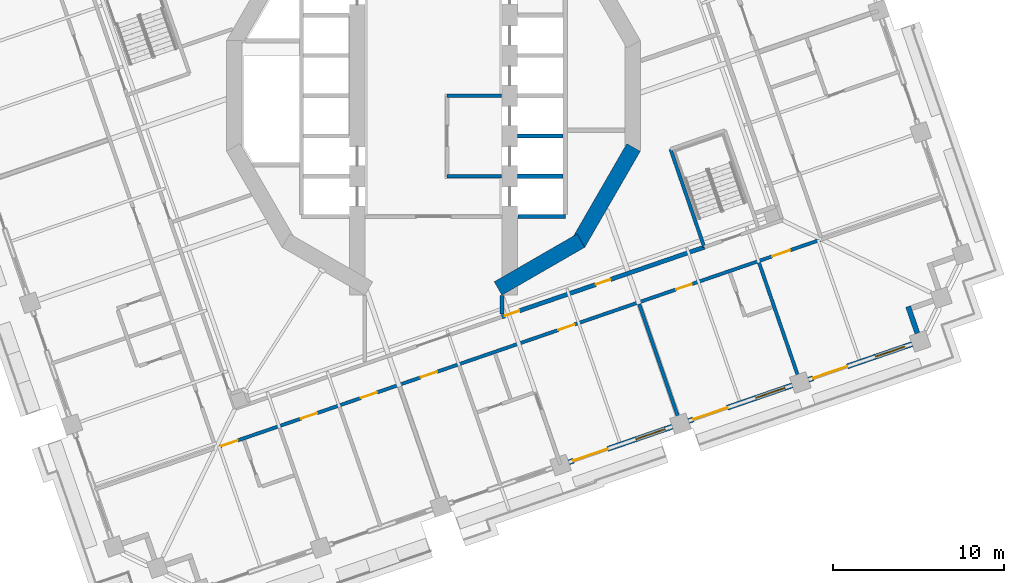
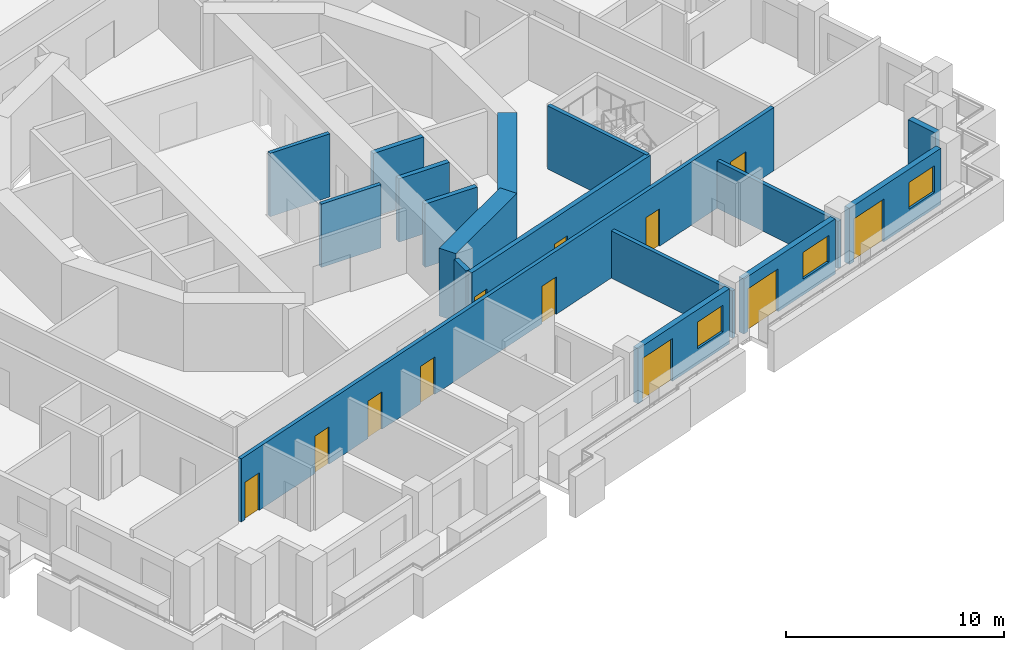
# One storey, part 6 of 19: 17 walls, 12 doors, 3 windows, 15 openings.
"""IFC4 building model written with IfcOpenShell, lengths in metres."""

import ifcopenshell
import ifcopenshell.guid

model = None  # the IFC model being written
_history = None  # IfcOwnerHistory: only IFC2X3 demands one
_inside = {}  # id of a spatial element -> (the spatial element, [elements in it])
_under = {}  # id of a project, library or spatial element -> (it, [spatial elements below it])
_declared = {}  # id of a project -> (the project, [libraries it declares])
_typed = {}  # id of a type object -> (the type object, [elements of that type])
_made_of = {}  # id of a material, layer set ... -> (it, [elements and type objects made of it])


def new_model(schema):
    """Start an empty IFC model of exactly this schema.

    Asked for "IFC4X3", IfcOpenShell would pick the latest addendum, in which some entities
    have other attributes; the version numbers below select the first issue.
    IFC2X3 requires an IfcOwnerHistory on every rooted entity: one is made here for all.
    """
    global model, _history
    if schema == "IFC4X3":
        model = ifcopenshell.file(schema_version=(4, 3, 0, 0))
    else:
        model = ifcopenshell.file(schema=schema)
    _inside.clear()
    _under.clear()
    _declared.clear()
    _typed.clear()
    _made_of.clear()
    _history = None
    if model.schema == "IFC2X3":
        org = make("IfcOrganization", Name="unknown")
        user = make(
            "IfcPersonAndOrganization",
            ThePerson=make("IfcPerson", FamilyName="unknown"),
            TheOrganization=org,
        )
        app = make(
            "IfcApplication",
            ApplicationDeveloper=org,
            Version="unknown",
            ApplicationFullName="unknown",
            ApplicationIdentifier="unknown",
        )
        _history = make(
            "IfcOwnerHistory",
            OwningUser=user,
            OwningApplication=app,
            ChangeAction="ADDED",
            CreationDate=0,
        )
    return model


def make(cls, **values):
    """One entity of the class cls with the attributes given. An attribute that is None is left unset."""
    return model.create_entity(
        cls, **{name: value for name, value in values.items() if value is not None}
    )


def rooted(cls, **values):
    """An entity with a GlobalId (a new one), such as an element, a storey or a relation."""
    return make(cls, GlobalId=ifcopenshell.guid.new(), OwnerHistory=_history, **values)


def si_unit(unit_type, name, prefix=None):
    """IfcSIUnit, for example si_unit("LENGTHUNIT", "METRE", prefix="MILLI")."""
    return make("IfcSIUnit", UnitType=unit_type, Prefix=prefix, Name=name)


def assignment(units):
    """IfcUnitAssignment: the units of a project."""
    return None if units is None else make("IfcUnitAssignment", Units=units)


def point(xyz):
    """IfcCartesianPoint."""
    return None if xyz is None else make("IfcCartesianPoint", Coordinates=xyz)


def direction(xyz):
    """IfcDirection."""
    return None if xyz is None else make("IfcDirection", DirectionRatios=xyz)


def frame(location, z_axis=None, x_axis=None):
    """IfcAxis2Placement3D, a coordinate frame: its origin and axes. An axis left out is left unset."""
    return make(
        "IfcAxis2Placement3D",
        Location=point(location),
        Axis=direction(z_axis),
        RefDirection=direction(x_axis),
    )


def frame_2d(location, x_axis=None):
    """IfcAxis2Placement2D, a coordinate frame in the plane: its origin and x axis."""
    return make(
        "IfcAxis2Placement2D", Location=point(location), RefDirection=direction(x_axis)
    )


def origin():
    """The frame at (0, 0, 0) with its axes left unset."""
    return frame((0.0, 0.0, 0.0))


def place(relative_to, where):
    """IfcLocalPlacement: puts the frame where relative to a parent placement (None: the world)."""
    return make(
        "IfcLocalPlacement", PlacementRelTo=relative_to, RelativePlacement=where
    )


def context(
    kind, dimensions, precision=None, world=None, true_north=None, identifier=None
):
    """IfcGeometricRepresentationContext, for example the 3D "Model" context."""
    return make(
        "IfcGeometricRepresentationContext",
        ContextIdentifier=identifier,
        ContextType=kind,
        CoordinateSpaceDimension=dimensions,
        Precision=precision,
        WorldCoordinateSystem=world,
        TrueNorth=true_north,
    )


def subcontext(parent, identifier, kind, view, scale=None):
    """IfcGeometricRepresentationSubContext, for example "Body" below "Model"."""
    return make(
        "IfcGeometricRepresentationSubContext",
        ContextIdentifier=identifier,
        ContextType=kind,
        ParentContext=parent,
        TargetScale=scale,
        TargetView=view,
    )


def project(units=None, contexts=None):
    """IfcProject with its units and contexts."""
    return rooted(
        "IfcProject",
        Name="project",
        RepresentationContexts=contexts,
        UnitsInContext=assignment(units),
    )


def spatial(cls, under=None, at=None, **own):
    """A site, building, storey or space (cls), placed at a placement, below another one or the project."""
    s = rooted(cls, ObjectPlacement=at, **own)
    if under is not None:
        _under.setdefault(under.id(), (under, []))[1].append(s)
    return s


def profile(cls, at=None, kind="AREA", **sizes):
    """A parametric profile (cls). Its sizes go by their IFC names, for example OverallWidth=200.0."""
    return make(cls, ProfileType=kind, Position=at, **sizes)


def rectangle(**sizes):
    """IfcRectangleProfileDef."""
    return profile("IfcRectangleProfileDef", **sizes)


def extrude(swept, where, along, depth):
    """IfcExtrudedAreaSolid: the profile swept, set in the frame where, extruded along a direction by depth."""
    return make(
        "IfcExtrudedAreaSolid",
        SweptArea=swept,
        Position=where,
        ExtrudedDirection=direction(along),
        Depth=depth,
    )


def shape(context_of_items, identifier, shape_type, items):
    """IfcShapeRepresentation: the items that make up one representation, for example the "Body"."""
    return make(
        "IfcShapeRepresentation",
        ContextOfItems=context_of_items,
        RepresentationIdentifier=identifier,
        RepresentationType=shape_type,
        Items=items,
    )


def material(Name=None, Category=None):
    """IfcMaterial."""
    return make("IfcMaterial", Name=Name, Category=Category)


def layer(
    of_material, thickness, ventilated=None, Name=None, Category=None, Priority=None
):
    """IfcMaterialLayer: one layer of a wall or slab, of a material (None: an air gap)."""
    return make(
        "IfcMaterialLayer",
        Material=of_material,
        LayerThickness=thickness,
        IsVentilated=ventilated,
        Name=Name,
        Category=Category,
        Priority=Priority,
    )


def layer_set(layers, Name=None):
    """IfcMaterialLayerSet."""
    return make("IfcMaterialLayerSet", MaterialLayers=layers, LayerSetName=Name)


def made_of(thing, what):
    """Note that an element or type object is made of a material, layer set ...; save() writes the relation."""
    if what is not None:
        _made_of.setdefault(what.id(), (what, []))[1].append(thing)
    return thing


def type_object(cls, material=None, **own):
    """A type object (cls), such as IfcWallType, which elements share."""
    return made_of(rooted(cls, **own), material)


def element(
    cls,
    number,
    at=None,
    inside=None,
    cuts=None,
    type_object=None,
    material=None,
    context=None,
    identifier="Body",
    shape_type=None,
    held_by="IfcProductDefinitionShape",
    body=None,
    shapes=None,
    **own,
):
    """One element of the class cls, such as IfcWall. Its Tag is "e" and its number.

    at: its placement. inside: the storey or other place that contains it. cuts: it is an
    opening in that element (IfcRelVoidsElement). A single representation is given by context,
    identifier, shape_type and body (its items); several are given by shapes. held_by: the class
    of the entity that holds the representations. save() writes the other relations.
    """
    e = rooted(cls, Tag="e%d" % number, ObjectPlacement=at, **own)
    if body is not None:
        shapes = [shape(context, identifier, shape_type, body)]
    if shapes is not None:
        e.Representation = make(held_by, Representations=shapes)
    if inside is not None:
        _inside.setdefault(inside.id(), (inside, []))[1].append(e)
    if cuts is not None:
        rooted(
            "IfcRelVoidsElement", RelatingBuildingElement=cuts, RelatedOpeningElement=e
        )
    if type_object is not None:
        _typed.setdefault(type_object.id(), (type_object, []))[1].append(e)
    return made_of(e, material)


def fill(opening, filler):
    """IfcRelFillsElement: the door or window that sits in an opening."""
    return rooted(
        "IfcRelFillsElement",
        RelatingOpeningElement=opening,
        RelatedBuildingElement=filler,
    )


def aggregate(whole, parts):
    """IfcRelAggregates: a whole, such as a stair, and the parts it consists of."""
    return rooted("IfcRelAggregates", RelatingObject=whole, RelatedObjects=parts)


def save(model, path):
    """Write the relations noted so far, then the file.

    IfcRelAggregates (storeys below a building ...), IfcRelContainedInSpatialStructure (elements
    in a storey), IfcRelDefinesByType, IfcRelAssociatesMaterial and IfcRelDeclares: one each for
    every whole, place, type object, material and project.
    """
    for whole, parts in _under.values():
        aggregate(whole, parts)
    for where, things in _inside.values():
        rooted(
            "IfcRelContainedInSpatialStructure",
            RelatedElements=things,
            RelatingStructure=where,
        )
    for kind, things in _typed.values():
        rooted("IfcRelDefinesByType", RelatedObjects=things, RelatingType=kind)
    for what, things in _made_of.values():
        rooted("IfcRelAssociatesMaterial", RelatedObjects=things, RelatingMaterial=what)
    for by, libraries in _declared.values():
        rooted("IfcRelDeclares", RelatingContext=by, RelatedDefinitions=libraries)
    model.write(path)


model = new_model("IFC4")

# Units and contexts
model_context = context("Model", 3, precision=1e-05, world=origin(), true_north=direction((0.0, 1.0)))
body_context = subcontext(model_context, "Body", "Model", "MODEL_VIEW")
ifc_project = project(units=[si_unit("LENGTHUNIT", "METRE"), si_unit("AREAUNIT", "SQUARE_METRE"), si_unit("VOLUMEUNIT", "CUBIC_METRE"), si_unit("PLANEANGLEUNIT", "RADIAN"), si_unit("MASSUNIT", "GRAM", prefix="KILO")], contexts=[model_context])

# Site, building, storey
site_placement = place(None, origin())
site = spatial("IfcSite", under=ifc_project, at=site_placement, CompositionType="ELEMENT")
building_placement = place(site_placement, origin())
building = spatial("IfcBuilding", under=site, at=building_placement, Name="Cantera Rosa Tower", CompositionType="ELEMENT")
storey_placement = place(building_placement, frame((0.0, 0.0, 123.10009765625)))
storey = spatial("IfcBuildingStorey", under=building, at=storey_placement, Name="L25", CompositionType="ELEMENT", Elevation=123.10009765625)

# Wall, openings, doors
ifc_material_1 = material(Name="Gypsum board partition")
ifc_layer_1 = layer(ifc_material_1, 0.199951171875)
ifc_layer_set_1 = layer_set([ifc_layer_1], Name="CORRIDOR WALL 200 H3550")
wall_type_1 = type_object("IfcWallType", Name="CORRIDOR WALL 200 H3550", PredefinedType="PARTITIONING", material=ifc_layer_set_1)
wall_1_placement = place(storey_placement, frame((-12.60546875, -20.52197265625, 0.0), z_axis=(0.0, 0.0, 1.0), x_axis=(0.945519651594, 0.325565029526, 0.0)))
wall_1 = element("IfcWall", 1, at=wall_1_placement, inside=storey, type_object=wall_type_1, Name="CORRIDOR WALL L25-021", PredefinedType="PARTITIONING", context=body_context, shape_type="SweptSolid", body=[
    extrude(rectangle(XDim=37.300048828125, YDim=0.199951171875, at=frame_2d((18.64990234375, 0.0))), origin(), (0.0, 0.0, 1.0), 3.5498046875),
])
opening_1_placement = place(wall_1_placement, frame((5.14990234375, 0.0, 0.0)))
opening_1 = element("IfcOpeningElement", 2, at=opening_1_placement, cuts=wall_1, Name="Opening L25-032", PredefinedType="OPENING", context=body_context, shape_type="SweptSolid", body=[
    extrude(rectangle(XDim=1.0, YDim=2.10009765625, at=frame_2d((0.5, 1.050048828125))), frame((0.0, 0.10986328125, 0.0), z_axis=(0.0, -1.0, 0.0), x_axis=(1.0, 0.0, 0.0)), (0.0, 0.0, 1.0), 0.219970703125),
])
opening_2_placement = place(wall_1_placement, frame((8.85009765625, 0.0, 0.0)))
opening_2 = element("IfcOpeningElement", 3, at=opening_2_placement, cuts=wall_1, Name="Opening L25-033", PredefinedType="OPENING", context=body_context, shape_type="SweptSolid", body=[
    extrude(rectangle(XDim=1.0, YDim=2.10009765625, at=frame_2d((0.5, 1.050048828125))), frame((0.0, 0.10986328125, 0.0), z_axis=(0.0, -1.0, 0.0), x_axis=(1.0, 0.0, 0.0)), (0.0, 0.0, 1.0), 0.219970703125),
])
opening_3_placement = place(wall_1_placement, frame((12.550048828125, 0.0, 0.0)))
opening_3 = element("IfcOpeningElement", 4, at=opening_3_placement, cuts=wall_1, Name="Opening L25-034", PredefinedType="OPENING", context=body_context, shape_type="SweptSolid", body=[
    extrude(rectangle(XDim=1.0, YDim=2.10009765625, at=frame_2d((0.5, 1.050048828125))), frame((0.0, 0.10986328125, 0.0), z_axis=(0.0, -1.0, 0.0), x_axis=(1.0, 0.0, 0.0)), (0.0, 0.0, 1.0), 0.219970703125),
])
opening_4_placement = place(wall_1_placement, frame((21.050048828125, 0.0, 0.0)))
opening_4 = element("IfcOpeningElement", 5, at=opening_4_placement, cuts=wall_1, Name="Opening L25-035", PredefinedType="OPENING", context=body_context, shape_type="SweptSolid", body=[
    extrude(rectangle(XDim=1.0, YDim=2.10009765625, at=frame_2d((0.5, 1.050048828125))), frame((0.0, 0.10986328125, 0.0), z_axis=(0.0, -1.0, 0.0), x_axis=(1.0, 0.0, 0.0)), (0.0, 0.0, 1.0), 0.219970703125),
])
opening_5_placement = place(wall_1_placement, frame((28.324951171875, 0.0, 0.0)))
opening_5 = element("IfcOpeningElement", 6, at=opening_5_placement, cuts=wall_1, Name="Opening L25-038", PredefinedType="OPENING", context=body_context, shape_type="SweptSolid", body=[
    extrude(rectangle(XDim=0.949951171875, YDim=2.10009765625, at=frame_2d((0.47509765625, 1.050048828125))), frame((0.0, 0.10986328125, 0.0), z_axis=(0.0, -1.0, 0.0), x_axis=(1.0, 0.0, 0.0)), (0.0, 0.0, 1.0), 0.219970703125),
])
opening_6_placement = place(wall_1_placement, frame((0.25, 0.0, 0.0)))
opening_6 = element("IfcOpeningElement", 7, at=opening_6_placement, cuts=wall_1, Name="Opening L25-040", PredefinedType="OPENING", context=body_context, shape_type="SweptSolid", body=[
    extrude(rectangle(XDim=1.0, YDim=2.10009765625, at=frame_2d((0.5, 1.050048828125))), frame((0.0, 0.10986328125, 0.0), z_axis=(0.0, -1.0, 0.0), x_axis=(1.0, 0.0, 0.0)), (0.0, 0.0, 1.0), 0.219970703125),
])
opening_7_placement = place(wall_1_placement, frame((34.25, 0.0, 0.0)))
opening_7 = element("IfcOpeningElement", 8, at=opening_7_placement, cuts=wall_1, Name="Opening L25-042", PredefinedType="OPENING", context=body_context, shape_type="SweptSolid", body=[
    extrude(rectangle(XDim=1.10009765625, YDim=2.10009765625, at=frame_2d((0.550048828125, 1.050048828125))), frame((0.0, 0.10986328125, 0.0), z_axis=(0.0, -1.0, 0.0), x_axis=(1.0, 0.0, 0.0)), (0.0, 0.0, 1.0), 0.219970703125),
])
ifc_material_2 = material(Name="Timber door leaf", Category="wood")
door_type_1 = type_object("IfcDoorType", Name="ENTRANCE DOOR 1000x2100", OperationType="NOTDEFINED", PredefinedType="DOOR", material=ifc_material_2)
door_1_placement = place(opening_4_placement, origin())
door_1 = element("IfcDoor", 9, at=door_1_placement, inside=storey, type_object=door_type_1, Name="DOOR L25-035", OperationType="NOTDEFINED", OverallHeight=2.10009765625, OverallWidth=1.0, PredefinedType="DOOR", context=body_context, shape_type="SweptSolid", body=[
    extrude(rectangle(XDim=1.0, YDim=2.10009765625, at=frame_2d((0.5, 1.050048828125))), frame((0.0, 0.02490234375, 0.0), z_axis=(0.0, -1.0, 0.0), x_axis=(1.0, 0.0, 0.0)), (0.0, 0.0, 1.0), 0.050048828125),
])
fill(opening_4, door_1)
door_2_placement = place(opening_6_placement, origin())
door_2 = element("IfcDoor", 10, at=door_2_placement, inside=storey, type_object=door_type_1, Name="DOOR L25-040", OperationType="NOTDEFINED", OverallHeight=2.10009765625, OverallWidth=1.0, PredefinedType="DOOR", context=body_context, shape_type="SweptSolid", body=[
    extrude(rectangle(XDim=1.0, YDim=2.10009765625, at=frame_2d((0.5, 1.050048828125))), frame((0.0, 0.02490234375, 0.0), z_axis=(0.0, -1.0, 0.0), x_axis=(1.0, 0.0, 0.0)), (0.0, 0.0, 1.0), 0.050048828125),
])
fill(opening_6, door_2)
ifc_material_3 = material(Name="Timber door leaf", Category="wood")
door_type_2 = type_object("IfcDoorType", Name="ROOM DOOR 1000x2100", OperationType="NOTDEFINED", PredefinedType="DOOR", material=ifc_material_3)
door_3_placement = place(opening_1_placement, origin())
door_3 = element("IfcDoor", 11, at=door_3_placement, inside=storey, type_object=door_type_2, Name="DOOR L25-032", OperationType="NOTDEFINED", OverallHeight=2.10009765625, OverallWidth=1.0, PredefinedType="DOOR", context=body_context, shape_type="SweptSolid", body=[
    extrude(rectangle(XDim=1.0, YDim=2.10009765625, at=frame_2d((0.5, 1.050048828125))), frame((0.0, 0.02490234375, 0.0), z_axis=(0.0, -1.0, 0.0), x_axis=(1.0, 0.0, 0.0)), (0.0, 0.0, 1.0), 0.050048828125),
])
fill(opening_1, door_3)
door_4_placement = place(opening_2_placement, origin())
door_4 = element("IfcDoor", 12, at=door_4_placement, inside=storey, type_object=door_type_2, Name="DOOR L25-033", OperationType="NOTDEFINED", OverallHeight=2.10009765625, OverallWidth=1.0, PredefinedType="DOOR", context=body_context, shape_type="SweptSolid", body=[
    extrude(rectangle(XDim=1.0, YDim=2.10009765625, at=frame_2d((0.5, 1.050048828125))), frame((0.0, 0.02490234375, 0.0), z_axis=(0.0, -1.0, 0.0), x_axis=(1.0, 0.0, 0.0)), (0.0, 0.0, 1.0), 0.050048828125),
])
fill(opening_2, door_4)
door_5_placement = place(opening_3_placement, origin())
door_5 = element("IfcDoor", 13, at=door_5_placement, inside=storey, type_object=door_type_2, Name="DOOR L25-034", OperationType="NOTDEFINED", OverallHeight=2.10009765625, OverallWidth=1.0, PredefinedType="DOOR", context=body_context, shape_type="SweptSolid", body=[
    extrude(rectangle(XDim=1.0, YDim=2.10009765625, at=frame_2d((0.5, 1.050048828125))), frame((0.0, 0.02490234375, 0.0), z_axis=(0.0, -1.0, 0.0), x_axis=(1.0, 0.0, 0.0)), (0.0, 0.0, 1.0), 0.050048828125),
])
fill(opening_3, door_5)
ifc_material_4 = material(Name="Timber door leaf", Category="wood")
door_type_3 = type_object("IfcDoorType", Name="ROOM DOOR 1100x2100", OperationType="NOTDEFINED", PredefinedType="DOOR", material=ifc_material_4)
door_6_placement = place(opening_7_placement, origin())
door_6 = element("IfcDoor", 14, at=door_6_placement, inside=storey, type_object=door_type_3, Name="DOOR L25-042", OperationType="NOTDEFINED", OverallHeight=2.10009765625, OverallWidth=1.10009765625, PredefinedType="DOOR", context=body_context, shape_type="SweptSolid", body=[
    extrude(rectangle(XDim=1.10009765625, YDim=2.10009765625, at=frame_2d((0.550048828125, 1.050048828125))), frame((0.0, 0.02490234375, 0.0), z_axis=(0.0, -1.0, 0.0), x_axis=(1.0, 0.0, 0.0)), (0.0, 0.0, 1.0), 0.050048828125),
])
fill(opening_7, door_6)
ifc_material_5 = material(Name="Timber door leaf", Category="wood")
door_type_4 = type_object("IfcDoorType", Name="ROOM DOOR 950x2100", OperationType="NOTDEFINED", PredefinedType="DOOR", material=ifc_material_5)
door_7_placement = place(opening_5_placement, origin())
door_7 = element("IfcDoor", 15, at=door_7_placement, inside=storey, type_object=door_type_4, Name="DOOR L25-038", OperationType="NOTDEFINED", OverallHeight=2.10009765625, OverallWidth=0.949951171875, PredefinedType="DOOR", context=body_context, shape_type="SweptSolid", body=[
    extrude(rectangle(XDim=0.949951171875, YDim=2.10009765625, at=frame_2d((0.47509765625, 1.050048828125))), frame((0.0, 0.02490234375, 0.0), z_axis=(0.0, -1.0, 0.0), x_axis=(1.0, 0.0, 0.0)), (0.0, 0.0, 1.0), 0.050048828125),
])
fill(opening_5, door_7)

# Wall
ifc_material_6 = material(Name="Hollow clay masonry with cantera stone cladding", Category="masonry")
ifc_layer_2 = layer(ifc_material_6, 0.300048828125)
ifc_layer_set_2 = layer_set([ifc_layer_2], Name="EW-LOGGIA 300")
wall_type_2 = type_object("IfcWallType", Name="EW-LOGGIA 300", PredefinedType="SOLIDWALL", material=ifc_layer_set_2)
wall_2_placement = place(storey_placement, frame((28.250732421875, -13.857421875, 0.0), z_axis=(0.0, 0.0, 1.0), x_axis=(-0.325666906351, 0.945484566827, 0.0)))
element("IfcWall", 16, at=wall_2_placement, inside=storey, type_object=wall_type_2, Name="EN-L25-W29a", PredefinedType="SOLIDWALL", context=body_context, shape_type="SweptSolid", body=[
    extrude(rectangle(XDim=1.64990234375, YDim=0.300048828125, at=frame_2d((0.824951171875, 0.0))), origin(), (0.0, 0.0, 1.0), 3.5),
])

# Wall, openings, window, door
ifc_material_7 = material(Name="Hollow clay masonry with cantera stone cladding", Category="masonry")
ifc_layer_3 = layer(ifc_material_7, 0.300048828125)
ifc_layer_set_3 = layer_set([ifc_layer_3], Name="EW-LOGGIA 300 H3090")
wall_type_3 = type_object("IfcWallType", Name="EW-LOGGIA 300 H3090", PredefinedType="SOLIDWALL", material=ifc_layer_set_3)
wall_3_placement = place(storey_placement, frame((7.895751953125, -21.39501953125, 0.0), z_axis=(0.0, 0.0, 1.0), x_axis=(0.945524496524, 0.325550958337, 0.0)))
wall_3 = element("IfcWall", 17, at=wall_3_placement, inside=storey, type_object=wall_type_3, Name="EN-L25-W26", PredefinedType="SOLIDWALL", context=body_context, shape_type="SweptSolid", body=[
    extrude(rectangle(XDim=6.39990234375, YDim=0.300048828125, at=frame_2d((3.199951171875, 0.0))), origin(), (0.0, 0.0, 1.0), 3.08984375),
])
opening_8_placement = place(wall_3_placement, frame((0.300048828125, 0.0, 0.0)))
opening_8 = element("IfcOpeningElement", 18, at=opening_8_placement, cuts=wall_3, Name="Opening L25-TD35", PredefinedType="OPENING", context=body_context, shape_type="SweptSolid", body=[
    extrude(rectangle(XDim=2.10009765625, YDim=2.39990234375, at=frame_2d((1.050048828125, 1.199951171875))), frame((0.0, 0.159912109375, 0.0), z_axis=(0.0, -1.0, 0.0), x_axis=(1.0, 0.0, 0.0)), (0.0, 0.0, 1.0), 0.320068359375),
])
opening_9_placement = place(wall_3_placement, frame((4.14990234375, 0.0, 0.89990234375)))
opening_9 = element("IfcOpeningElement", 19, at=opening_9_placement, cuts=wall_3, Name="Opening L25-W36", PredefinedType="OPENING", context=body_context, shape_type="SweptSolid", body=[
    extrude(rectangle(XDim=1.800048828125, YDim=1.5, at=frame_2d((0.89990234375, 0.75))), frame((0.0, 0.159912109375, 0.0), z_axis=(0.0, -1.0, 0.0), x_axis=(1.0, 0.0, 0.0)), (0.0, 0.0, 1.0), 0.320068359375),
])
ifc_material_8 = material(Name="Aluminium frame with clear glass", Category="aluminium")
window_type = type_object("IfcWindowType", Name="Hotel room window 1800x1500", PartitioningType="DOUBLE_PANEL_VERTICAL", PredefinedType="WINDOW", material=ifc_material_8)
window_1_placement = place(opening_9_placement, origin())
window_1 = element("IfcWindow", 20, at=window_1_placement, inside=storey, type_object=window_type, Name="WINDOW L25-W36", OverallHeight=1.5, OverallWidth=1.800048828125, PartitioningType="SINGLE_PANEL", PredefinedType="WINDOW", context=body_context, shape_type="SweptSolid", body=[
    extrude(rectangle(XDim=1.800048828125, YDim=1.5, at=frame_2d((0.89990234375, 0.75))), frame((0.0, 0.030029296875, 0.0), z_axis=(0.0, -1.0, 0.0), x_axis=(1.0, 0.0, 0.0)), (0.0, 0.0, 1.0), 0.06005859375),
])
fill(opening_9, window_1)
ifc_material_9 = material(Name="Aluminium frame with clear glass", Category="aluminium")
door_type_5 = type_object("IfcDoorType", Name="TD-H 2100x2400", OperationType="NOTDEFINED", PredefinedType="DOOR", material=ifc_material_9)
door_8_placement = place(opening_8_placement, origin())
door_8 = element("IfcDoor", 21, at=door_8_placement, inside=storey, type_object=door_type_5, Name="LOGGIA DOOR L25-TD35", OperationType="SLIDING_TO_LEFT", OverallHeight=2.39990234375, OverallWidth=2.10009765625, PredefinedType="DOOR", context=body_context, shape_type="SweptSolid", body=[
    extrude(rectangle(XDim=2.10009765625, YDim=2.39990234375, at=frame_2d((1.050048828125, 1.199951171875))), frame((0.0, 0.02490234375, 0.0), z_axis=(0.0, -1.0, 0.0), x_axis=(1.0, 0.0, 0.0)), (0.0, 0.0, 1.0), 0.050048828125),
])
fill(opening_8, door_8)

wall_4_placement = place(storey_placement, frame((14.892578125, -18.98583984375, 0.0), z_axis=(0.0, 0.0, 1.0), x_axis=(0.945512753621, 0.325585062219, 0.0)))
wall_4 = element("IfcWall", 22, at=wall_4_placement, inside=storey, type_object=wall_type_3, Name="EN-L25-W27", PredefinedType="SOLIDWALL", context=body_context, shape_type="SweptSolid", body=[
    extrude(rectangle(XDim=6.39990234375, YDim=0.300048828125, at=frame_2d((3.199951171875, 0.0))), origin(), (0.0, 0.0, 1.0), 3.08984375),
])
opening_10_placement = place(wall_4_placement, frame((0.300048828125, 0.0, 0.0)))
opening_10 = element("IfcOpeningElement", 23, at=opening_10_placement, cuts=wall_4, Name="Opening L25-TD37", PredefinedType="OPENING", context=body_context, shape_type="SweptSolid", body=[
    extrude(rectangle(XDim=2.10009765625, YDim=2.39990234375, at=frame_2d((1.050048828125, 1.199951171875))), frame((0.0, 0.159912109375, 0.0), z_axis=(0.0, -1.0, 0.0), x_axis=(1.0, 0.0, 0.0)), (0.0, 0.0, 1.0), 0.320068359375),
])
opening_11_placement = place(wall_4_placement, frame((4.14990234375, 0.0, 0.89990234375)))
opening_11 = element("IfcOpeningElement", 24, at=opening_11_placement, cuts=wall_4, Name="Opening L25-W38", PredefinedType="OPENING", context=body_context, shape_type="SweptSolid", body=[
    extrude(rectangle(XDim=1.800048828125, YDim=1.5, at=frame_2d((0.89990234375, 0.75))), frame((0.0, 0.159912109375, 0.0), z_axis=(0.0, -1.0, 0.0), x_axis=(1.0, 0.0, 0.0)), (0.0, 0.0, 1.0), 0.320068359375),
])
window_2_placement = place(opening_11_placement, origin())
window_2 = element("IfcWindow", 25, at=window_2_placement, inside=storey, type_object=window_type, Name="WINDOW L25-W38", OverallHeight=1.5, OverallWidth=1.800048828125, PartitioningType="SINGLE_PANEL", PredefinedType="WINDOW", context=body_context, shape_type="SweptSolid", body=[
    extrude(rectangle(XDim=1.800048828125, YDim=1.5, at=frame_2d((0.89990234375, 0.75))), frame((0.0, 0.030029296875, 0.0), z_axis=(0.0, -1.0, 0.0), x_axis=(1.0, 0.0, 0.0)), (0.0, 0.0, 1.0), 0.06005859375),
])
fill(opening_11, window_2)
door_9_placement = place(opening_10_placement, origin())
door_9 = element("IfcDoor", 26, at=door_9_placement, inside=storey, type_object=door_type_5, Name="LOGGIA DOOR L25-TD37", OperationType="SLIDING_TO_LEFT", OverallHeight=2.39990234375, OverallWidth=2.10009765625, PredefinedType="DOOR", context=body_context, shape_type="SweptSolid", body=[
    extrude(rectangle(XDim=2.10009765625, YDim=2.39990234375, at=frame_2d((1.050048828125, 1.199951171875))), frame((0.0, 0.02490234375, 0.0), z_axis=(0.0, -1.0, 0.0), x_axis=(1.0, 0.0, 0.0)), (0.0, 0.0, 1.0), 0.050048828125),
])
fill(opening_10, door_9)

ifc_material_10 = material(Name="Hollow clay masonry with cantera stone cladding", Category="masonry")
ifc_layer_4 = layer(ifc_material_10, 0.300048828125)
ifc_layer_set_4 = layer_set([ifc_layer_4], Name="EW-LOGGIA 300 H3140")
wall_type_4 = type_object("IfcWallType", Name="EW-LOGGIA 300 H3140", PredefinedType="SOLIDWALL", material=ifc_layer_set_4)
wall_5_placement = place(storey_placement, frame((21.889404296875, -16.57666015625, 0.0), z_axis=(0.0, 0.0, 1.0), x_axis=(0.945512753621, 0.325585062219, 0.0)))
wall_5 = element("IfcWall", 27, at=wall_5_placement, inside=storey, type_object=wall_type_4, Name="EN-L25-W28", PredefinedType="SOLIDWALL", context=body_context, shape_type="SweptSolid", body=[
    extrude(rectangle(XDim=6.39990234375, YDim=0.300048828125, at=frame_2d((3.199951171875, 0.0))), origin(), (0.0, 0.0, 1.0), 3.139892578125),
])
opening_12_placement = place(wall_5_placement, frame((0.300048828125, 0.0, 0.0)))
opening_12 = element("IfcOpeningElement", 28, at=opening_12_placement, cuts=wall_5, Name="Opening L25-TD39", PredefinedType="OPENING", context=body_context, shape_type="SweptSolid", body=[
    extrude(rectangle(XDim=2.10009765625, YDim=2.39990234375, at=frame_2d((1.050048828125, 1.199951171875))), frame((0.0, 0.159912109375, 0.0), z_axis=(0.0, -1.0, 0.0), x_axis=(1.0, 0.0, 0.0)), (0.0, 0.0, 1.0), 0.320068359375),
])
opening_13_placement = place(wall_5_placement, frame((4.14990234375, 0.0, 0.89990234375)))
opening_13 = element("IfcOpeningElement", 29, at=opening_13_placement, cuts=wall_5, Name="Opening L25-W40", PredefinedType="OPENING", context=body_context, shape_type="SweptSolid", body=[
    extrude(rectangle(XDim=1.800048828125, YDim=1.5, at=frame_2d((0.89990234375, 0.75))), frame((0.0, 0.159912109375, 0.0), z_axis=(0.0, -1.0, 0.0), x_axis=(1.0, 0.0, 0.0)), (0.0, 0.0, 1.0), 0.320068359375),
])
window_3_placement = place(opening_13_placement, origin())
window_3 = element("IfcWindow", 30, at=window_3_placement, inside=storey, type_object=window_type, Name="WINDOW L25-W40", OverallHeight=1.5, OverallWidth=1.800048828125, PartitioningType="SINGLE_PANEL", PredefinedType="WINDOW", context=body_context, shape_type="SweptSolid", body=[
    extrude(rectangle(XDim=1.800048828125, YDim=1.5, at=frame_2d((0.89990234375, 0.75))), frame((0.0, 0.030029296875, 0.0), z_axis=(0.0, -1.0, 0.0), x_axis=(1.0, 0.0, 0.0)), (0.0, 0.0, 1.0), 0.06005859375),
])
fill(opening_13, window_3)
door_10_placement = place(opening_12_placement, origin())
door_10 = element("IfcDoor", 31, at=door_10_placement, inside=storey, type_object=door_type_5, Name="LOGGIA DOOR L25-TD39", OperationType="SLIDING_TO_LEFT", OverallHeight=2.39990234375, OverallWidth=2.10009765625, PredefinedType="DOOR", context=body_context, shape_type="SweptSolid", body=[
    extrude(rectangle(XDim=2.10009765625, YDim=2.39990234375, at=frame_2d((1.050048828125, 1.199951171875))), frame((0.0, 0.02490234375, 0.0), z_axis=(0.0, -1.0, 0.0), x_axis=(1.0, 0.0, 0.0)), (0.0, 0.0, 1.0), 0.050048828125),
])
fill(opening_12, door_10)

# Walls
ifc_material_11 = material(Name="Gypsum board partition")
ifc_layer_5 = layer(ifc_material_11, 0.199951171875)
ifc_layer_set_5 = layer_set([ifc_layer_5], Name="PARTY WALL 200 H2650")
wall_type_5 = type_object("IfcWallType", Name="PARTY WALL 200 H2650", PredefinedType="PARTITIONING", material=ifc_layer_set_5)
wall_6_placement = place(storey_placement, frame((12.010498046875, -12.15185546875, 0.0), z_axis=(0.0, 0.0, 1.0), x_axis=(0.325563917555, -0.945520034471, 0.0)))
element("IfcWall", 32, at=wall_6_placement, inside=storey, type_object=wall_type_5, Name="PARTY WALL L25-077", PredefinedType="PARTITIONING", context=body_context, shape_type="SweptSolid", body=[
    extrude(rectangle(XDim=7.3701171875, YDim=0.199951171875, at=frame_2d((3.68505859375, 0.0))), origin(), (0.0, 0.0, 1.0), 2.64990234375),
])
wall_7_placement = place(storey_placement, frame((19.00732421875, -9.74267578125, 0.0), z_axis=(0.0, 0.0, 1.0), x_axis=(0.325603730276, -0.945506325114, 0.0)))
element("IfcWall", 33, at=wall_7_placement, inside=storey, type_object=wall_type_5, Name="PARTY WALL L25-090", PredefinedType="PARTITIONING", context=body_context, shape_type="SweptSolid", body=[
    extrude(rectangle(XDim=7.369873046875, YDim=0.199951171875, at=frame_2d((3.68505859375, 0.0))), origin(), (0.0, 0.0, 1.0), 2.64990234375),
])
ifc_material_12 = material(Name="Concrete C70/85", Category="concrete")
ifc_layer_6 = layer(ifc_material_12, 0.89990234375)
ifc_layer_set_6 = layer_set([ifc_layer_6], Name="RC CORE WALL 900 C70/85")
wall_type_6 = type_object("IfcWallType", Name="RC CORE WALL 900 C70/85", PredefinedType="SHEAR", material=ifc_layer_set_6)
wall_8_placement = place(storey_placement, frame((11.684326171875, -3.01025390625, 0.0), z_axis=(0.0, 0.0, 1.0), x_axis=(-0.499990282633, -0.866031014036, 0.0)))
element("IfcWall", 34, at=wall_8_placement, inside=storey, type_object=wall_type_6, Name="CW-E4 L25", PredefinedType="SHEAR", context=body_context, shape_type="SweptSolid", body=[
    extrude(rectangle(XDim=6.470458984375, YDim=0.89990234375, at=frame_2d((3.2353515625, 0.0))), origin(), (0.0, 0.0, 1.0), 3.7998046875),
])
wall_9_placement = place(storey_placement, frame((8.61376953125, -8.44921875, 0.0), z_axis=(0.0, 0.0, 1.0), x_axis=(-0.866026961591, -0.49999730179, 0.0)))
element("IfcWall", 35, at=wall_9_placement, inside=storey, type_object=wall_type_6, Name="CW-E5 L25", PredefinedType="SHEAR", context=body_context, shape_type="SweptSolid", body=[
    extrude(rectangle(XDim=5.58740234375, YDim=0.89990234375, at=frame_2d((2.793701171875, 0.0))), origin(), (0.0, 0.0, 1.0), 3.7998046875),
])
ifc_material_13 = material(Name="Masonry blockwork", Category="masonry")
ifc_layer_7 = layer(ifc_material_13, 0.25)
ifc_layer_set_7 = layer_set([ifc_layer_7], Name="SHAFT WALL 250 H3550")
wall_type_7 = type_object("IfcWallType", Name="SHAFT WALL 250 H3550", PredefinedType="SOLIDWALL", material=ifc_layer_set_7)
wall_10_placement = place(storey_placement, frame((4.0, -12.740478515625, 0.0), z_axis=(0.0, 0.0, 1.0), x_axis=(0.0, 1.0, 0.0)))
element("IfcWall", 36, at=wall_10_placement, inside=storey, type_object=wall_type_7, Name="SHAFT WALL L25-054", PredefinedType="SOLIDWALL", context=body_context, shape_type="SweptSolid", body=[
    extrude(rectangle(XDim=1.0732421875, YDim=0.25, at=frame_2d((0.53662109375, 0.0))), origin(), (0.0, 0.0, 1.0), 3.5498046875),
])

# Wall, openings, doors
wall_11_placement = place(storey_placement, frame((4.0, -12.900634765625, 0.0), z_axis=(0.0, 0.0, 1.0), x_axis=(0.945515789626, 0.325576245398, 0.0)))
wall_11 = element("IfcWall", 37, at=wall_11_placement, inside=storey, type_object=wall_type_7, Name="SHAFT WALL L25-055", PredefinedType="SOLIDWALL", context=body_context, shape_type="SweptSolid", body=[
    extrude(rectangle(XDim=12.491455078125, YDim=0.25, at=frame_2d((6.24560546875, 0.0))), origin(), (0.0, 0.0, 1.0), 3.5498046875),
])
opening_14_placement = place(wall_11_placement, frame((0.174560546875, 0.0, 0.0)))
opening_14 = element("IfcOpeningElement", 38, at=opening_14_placement, cuts=wall_11, Name="Opening L25-008", PredefinedType="OPENING", context=body_context, shape_type="SweptSolid", body=[
    extrude(rectangle(XDim=0.89990234375, YDim=2.10009765625, at=frame_2d((0.449951171875, 1.050048828125))), frame((0.0, 0.135009765625, 0.0), z_axis=(0.0, -1.0, 0.0), x_axis=(1.0, 0.0, 0.0)), (0.0, 0.0, 1.0), 0.27001953125),
])
opening_15_placement = place(wall_11_placement, frame((5.795654296875, 0.0, 0.0)))
opening_15 = element("IfcOpeningElement", 39, at=opening_15_placement, cuts=wall_11, Name="Opening L25-044", PredefinedType="OPENING", context=body_context, shape_type="SweptSolid", body=[
    extrude(rectangle(XDim=0.89990234375, YDim=2.10009765625, at=frame_2d((0.449951171875, 1.050048828125))), frame((0.0, 0.135009765625, 0.0), z_axis=(0.0, -1.0, 0.0), x_axis=(1.0, 0.0, 0.0)), (0.0, 0.0, 1.0), 0.27001953125),
])
ifc_material_14 = material(Name="Timber door leaf", Category="wood")
door_type_6 = type_object("IfcDoorType", Name="SERVICE DOOR 900x2100", OperationType="NOTDEFINED", PredefinedType="DOOR", material=ifc_material_14)
door_11_placement = place(opening_14_placement, origin())
door_11 = element("IfcDoor", 40, at=door_11_placement, inside=storey, type_object=door_type_6, Name="RISER DOOR L25-008", OperationType="NOTDEFINED", OverallHeight=2.10009765625, OverallWidth=0.89990234375, PredefinedType="DOOR", context=body_context, shape_type="SweptSolid", body=[
    extrude(rectangle(XDim=0.89990234375, YDim=2.10009765625, at=frame_2d((0.449951171875, 1.050048828125))), frame((0.0, 0.02490234375, 0.0), z_axis=(0.0, -1.0, 0.0), x_axis=(1.0, 0.0, 0.0)), (0.0, 0.0, 1.0), 0.050048828125),
])
fill(opening_14, door_11)
door_12_placement = place(opening_15_placement, origin())
door_12 = element("IfcDoor", 41, at=door_12_placement, inside=storey, type_object=door_type_6, Name="RISER DOOR L25-044", OperationType="NOTDEFINED", OverallHeight=2.10009765625, OverallWidth=0.89990234375, PredefinedType="DOOR", context=body_context, shape_type="SweptSolid", body=[
    extrude(rectangle(XDim=0.89990234375, YDim=2.10009765625, at=frame_2d((0.449951171875, 1.050048828125))), frame((0.0, 0.02490234375, 0.0), z_axis=(0.0, -1.0, 0.0), x_axis=(1.0, 0.0, 0.0)), (0.0, 0.0, 1.0), 0.050048828125),
])
fill(opening_15, door_12)

# Walls
wall_12_placement = place(storey_placement, frame((4.89990234375, -4.699951171875, 0.0), z_axis=(0.0, 0.0, 1.0), x_axis=(1.0, 0.0, 0.0)))
element("IfcWall", 42, at=wall_12_placement, inside=storey, type_object=wall_type_7, Name="SHAFT WALL L25-058", PredefinedType="SOLIDWALL", context=body_context, shape_type="SweptSolid", body=[
    extrude(rectangle(XDim=2.675048828125, YDim=0.25, at=frame_2d((1.33740234375, 0.0))), origin(), (0.0, 0.0, 1.0), 3.5498046875),
])
wall_13_placement = place(storey_placement, frame((4.929931640625, -7.050048828125, 0.0), z_axis=(0.0, 0.0, 1.0), x_axis=(1.0, 0.0, 0.0)))
element("IfcWall", 43, at=wall_13_placement, inside=storey, type_object=wall_type_7, Name="SHAFT WALL L25-060", PredefinedType="SOLIDWALL", context=body_context, shape_type="SweptSolid", body=[
    extrude(rectangle(XDim=2.77001953125, YDim=0.25, at=frame_2d((1.385009765625, 0.0))), origin(), (0.0, 0.0, 1.0), 3.5498046875),
])
wall_14_placement = place(storey_placement, frame((7.574951171875, -2.35009765625, 0.0), z_axis=(0.0, 0.0, 1.0), x_axis=(-1.0, 0.0, 0.0)))
element("IfcWall", 44, at=wall_14_placement, inside=storey, type_object=wall_type_7, Name="SHAFT WALL L25-066", PredefinedType="SOLIDWALL", context=body_context, shape_type="SweptSolid", body=[
    extrude(rectangle(XDim=2.675048828125, YDim=0.25, at=frame_2d((1.33740234375, 0.0))), origin(), (0.0, 0.0, 1.0), 3.5498046875),
])
ifc_material_15 = material(Name="Concrete C50/60", Category="concrete")
ifc_layer_8 = layer(ifc_material_15, 0.199951171875)
ifc_layer_set_8 = layer_set([ifc_layer_8], Name="STAIR WALL 200 H3550")
wall_type_8 = type_object("IfcWallType", Name="STAIR WALL 200 H3550", PredefinedType="SOLIDWALL", material=ifc_layer_set_8)
for number, where, z_axis, x_axis, name in (
    (45, (0.800048828125, 0.0, 0.0), (0.0, 0.0, 1.0), (1.0, 0.0, 0.0), "STAIR WALL L25-047"),
    (46, (3.969970703125, -4.699951171875, 0.0), (0.0, 0.0, 1.0), (-1.0, 0.0, 0.0), "STAIR WALL L25-053"),
):
    element("IfcWall", number, at=place(storey_placement, frame(where, z_axis=z_axis, x_axis=x_axis)), inside=storey, type_object=wall_type_8, Name=name, PredefinedType="SOLIDWALL", context=body_context, shape_type="SweptSolid", body=[
        extrude(rectangle(XDim=3.169921875, YDim=0.199951171875, at=frame_2d((1.5849609375, 0.0))), origin(), (0.0, 0.0, 1.0), 3.5498046875),
    ])
wall_15_placement = place(storey_placement, frame((13.839599609375, -3.10888671875, 0.0), z_axis=(0.0, 0.0, 1.0), x_axis=(0.325563172411, -0.945520291041, 0.0)))
element("IfcWall", 47, at=wall_15_placement, inside=storey, type_object=wall_type_8, Name="STAIR WALL L25-081", PredefinedType="SOLIDWALL", context=body_context, shape_type="SweptSolid", body=[
    extrude(rectangle(XDim=6.0546875, YDim=0.199951171875, at=frame_2d((3.02734375, 0.0))), origin(), (0.0, 0.0, 1.0), 3.5498046875),
])

save(model, "model.ifc")
